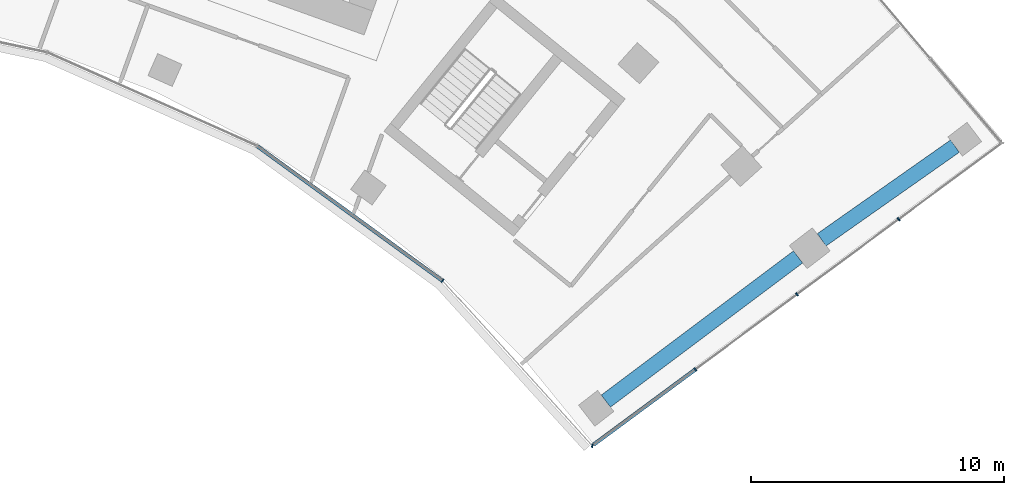
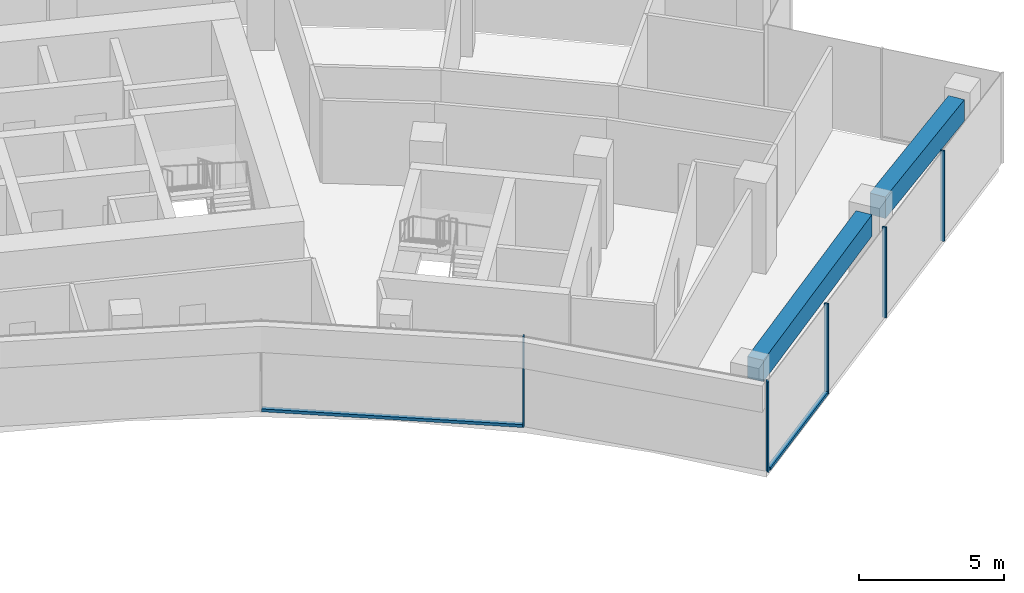
# One storey, part 7 of 18: 7 members, 2 beams, 2 elements without a shape of their own.
"""IFC4 building model written with IfcOpenShell, lengths in metres."""

from ifc_helpers import new_model, si_unit, direction, frame, origin, origin_2d, place, context, subcontext, project, spatial, rectangle, extrude, material, layer, layer_set, material_profile, profile_set, type_object, element, aggregate, save


model = new_model("IFC4")

# Units and contexts
model_context = context("Model", 3, precision=1e-05, world=origin(), true_north=direction((0.0, 1.0)))
body_context = subcontext(model_context, "Body", "Model", "MODEL_VIEW")
ifc_project = project(units=[si_unit("LENGTHUNIT", "METRE"), si_unit("AREAUNIT", "SQUARE_METRE"), si_unit("VOLUMEUNIT", "CUBIC_METRE"), si_unit("PLANEANGLEUNIT", "RADIAN"), si_unit("MASSUNIT", "GRAM", prefix="KILO")], contexts=[model_context])

# Site, building, storey
site_placement = place(None, origin())
site = spatial("IfcSite", under=ifc_project, at=site_placement, CompositionType="ELEMENT")
building_placement = place(site_placement, origin())
building = spatial("IfcBuilding", under=site, at=building_placement, Name="Stone Belt Terrace Tower", CompositionType="ELEMENT")
storey_placement = place(building_placement, frame((0.0, 0.0, 239.0)))
storey = spatial("IfcBuildingStorey", under=building, at=storey_placement, Name="L58", CompositionType="ELEMENT", Elevation=239.0)

# Curtain wall, members
ifc_material_1 = material(Name="Aluminium 6063-T6 anodised frame", Category="aluminium")
ifc_layer_1 = layer(ifc_material_1, 0.14990234375)
ifc_layer_set_1 = layer_set([ifc_layer_1], Name="CW-B unitised concave-face curtain wall")
curtain_wall_type_1 = type_object("IfcCurtainWallType", Name="CW-B unitised concave-face curtain wall", PredefinedType="NOTDEFINED", material=ifc_layer_set_1)
curtain_wall_1_placement = place(storey_placement, origin())
curtain_wall_1 = element("IfcCurtainWall", 1, at=curtain_wall_1_placement, inside=storey, type_object=curtain_wall_type_1, Name="CW-B concave face L58", PredefinedType="NOTDEFINED")
ifc_material_profile_1 = material_profile(ifc_material_1, rectangle(XDim=0.14990234375, YDim=0.050048828125, at=origin_2d()), Name="Aluminium 6063-T6 50x150")
ifc_profile_set_1 = profile_set([ifc_material_profile_1], Name="Aluminium 6063-T6 anodised frame")
member_type_1 = type_object("IfcMemberType", Name="CW-B mullion 50 x 150", PredefinedType="MULLION", material=ifc_profile_set_1)
member_1_placement = place(storey_placement, frame((29.056884765625, 32.270751953125, 0.0), z_axis=(0.0, 0.0, 1.0), x_axis=(0.667655571962, 0.744470306479, 0.0)))
member_1 = element("IfcMember", 2, at=member_1_placement, type_object=member_type_1, Name="CW-B mullion 8", PredefinedType="MULLION", context=body_context, shape_type="SweptSolid", body=[
    extrude(rectangle(XDim=0.14990234375, YDim=0.050048828125, at=origin_2d()), origin(), (0.0, 0.0, 1.0), 3.800048828125),
])
ifc_material_profile_2 = material_profile(ifc_material_1, rectangle(XDim=0.14990234375, YDim=0.1201171875, at=origin_2d()), Name="Aluminium 6063-T6 150x120")
ifc_profile_set_2 = profile_set([ifc_material_profile_2], Name="Aluminium 6063-T6 anodised frame")
member_type_2 = type_object("IfcMemberType", Name="CW-B transom 120 x 150", PredefinedType="USERDEFINED", material=ifc_profile_set_2)
member_2_placement = place(storey_placement, frame((21.73876953125, 37.587646484375, 0.06005859375), z_axis=(0.809012430507, -0.587791533867, 0.0), x_axis=(0.587791533867, 0.809012430507, 0.0)))
member_2 = element("IfcMember", 3, at=member_2_placement, type_object=member_type_2, Name="CW-B transom 7.1", ObjectType="TRANSOM", PredefinedType="USERDEFINED", context=body_context, shape_type="SweptSolid", body=[
    extrude(rectangle(XDim=0.14990234375, YDim=0.1201171875, at=origin_2d()), origin(), (0.0, 0.0, 1.0), 9.01318359375),
])
aggregate(curtain_wall_1, [member_1, member_2])

ifc_layer_2 = layer(ifc_material_1, 0.14990234375)
ifc_layer_set_2 = layer_set([ifc_layer_2], Name="CW-C stick curtain wall, horn ends and notches")
curtain_wall_type_2 = type_object("IfcCurtainWallType", Name="CW-C stick curtain wall, horn ends and notches", PredefinedType="NOTDEFINED", material=ifc_layer_set_2)
curtain_wall_2_placement = place(storey_placement, origin())
curtain_wall_2 = element("IfcCurtainWall", 4, at=curtain_wall_2_placement, inside=storey, type_object=curtain_wall_type_2, Name="CW-C end face L58", PredefinedType="NOTDEFINED")
ifc_material_profile_3 = material_profile(ifc_material_1, rectangle(XDim=0.14990234375, YDim=0.06005859375, at=origin_2d()), Name="Aluminium 6063-T6 60x150")
ifc_profile_set_3 = profile_set([ifc_material_profile_3], Name="Aluminium 6063-T6 anodised frame")
member_type_3 = type_object("IfcMemberType", Name="CW-C mullion 60 x 150", PredefinedType="MULLION", material=ifc_profile_set_3)
member_3_placement = place(storey_placement, frame((34.978271484375, 25.746337890625, 0.0), z_axis=(0.0, 0.0, 1.0), x_axis=(0.098609982845, 0.995126158476, 0.0)))
member_3 = element("IfcMember", 5, at=member_3_placement, type_object=member_type_3, Name="CW-C mullion 1", PredefinedType="MULLION", context=body_context, shape_type="SweptSolid", body=[
    extrude(rectangle(XDim=0.14990234375, YDim=0.06005859375, at=origin_2d()), origin(), (0.0, 0.0, 1.0), 3.800048828125),
])
member_4_placement = place(storey_placement, frame((39.054443359375, 28.757568359375, 0.0), z_axis=(0.0, 0.0, 1.0), x_axis=(-0.594184091865, 0.804329077539, 0.0)))
member_4 = element("IfcMember", 6, at=member_4_placement, type_object=member_type_3, Name="CW-C mullion 2", PredefinedType="MULLION", context=body_context, shape_type="SweptSolid", body=[
    extrude(rectangle(XDim=0.14990234375, YDim=0.06005859375, at=origin_2d()), origin(), (0.0, 0.0, 1.0), 3.800048828125),
])
member_5_placement = place(storey_placement, frame((43.076171875, 31.728515625, 0.0), z_axis=(0.0, 0.0, 1.0), x_axis=(-0.594184091865, 0.804329077539, 0.0)))
member_5 = element("IfcMember", 7, at=member_5_placement, type_object=member_type_3, Name="CW-C mullion 3", PredefinedType="MULLION", context=body_context, shape_type="SweptSolid", body=[
    extrude(rectangle(XDim=0.14990234375, YDim=0.06005859375, at=origin_2d()), origin(), (0.0, 0.0, 1.0), 3.800048828125),
])
member_6_placement = place(storey_placement, frame((47.097900390625, 34.699462890625, 0.0), z_axis=(0.0, 0.0, 1.0), x_axis=(-0.594184091865, 0.804329077539, 0.0)))
member_6 = element("IfcMember", 8, at=member_6_placement, type_object=member_type_3, Name="CW-C mullion 4", PredefinedType="MULLION", context=body_context, shape_type="SweptSolid", body=[
    extrude(rectangle(XDim=0.14990234375, YDim=0.06005859375, at=origin_2d()), origin(), (0.0, 0.0, 1.0), 3.800048828125),
])
ifc_material_profile_4 = material_profile(ifc_material_1, rectangle(XDim=0.14990234375, YDim=0.1201171875, at=origin_2d()), Name="Aluminium 6063-T6 150x120")
ifc_profile_set_4 = profile_set([ifc_material_profile_4], Name="Aluminium 6063-T6 anodised frame")
member_type_4 = type_object("IfcMemberType", Name="CW-C transom 120 x 150", PredefinedType="USERDEFINED", material=ifc_profile_set_4)
member_7_placement = place(storey_placement, frame((35.03662109375, 25.78955078125, 0.06005859375), z_axis=(0.804333483404, 0.594178127733, 0.0), x_axis=(-0.594178127733, 0.804333483404, 0.0)))
member_7 = element("IfcMember", 9, at=member_7_placement, type_object=member_type_4, Name="CW-C transom 1.1", ObjectType="TRANSOM", PredefinedType="USERDEFINED", context=body_context, shape_type="SweptSolid", body=[
    extrude(rectangle(XDim=0.14990234375, YDim=0.1201171875, at=origin_2d()), origin(), (0.0, 0.0, 1.0), 4.965087890625),
])
aggregate(curtain_wall_2, [member_3, member_4, member_5, member_6, member_7])

# Beams
ifc_material_2 = material(Name="Concrete B60", Category="concrete")
ifc_material_profile_5 = material_profile(ifc_material_2, rectangle(XDim=0.60009765625, YDim=0.89990234375, at=origin_2d()), Name="RC 600x900")
ifc_profile_set_5 = profile_set([ifc_material_profile_5], Name="Concrete B60")
beam_type = type_object("IfcBeamType", Name="Edge beam RC 600x900 B60", PredefinedType="SPANDREL", material=ifc_profile_set_5)
beam_1_placement = place(storey_placement, frame((35.51318359375, 27.5068359375, 3.030029296875), z_axis=(0.800073960697, 0.599901373073, 0.0), x_axis=(-0.599901373073, 0.800073960697, 0.0)))
element("IfcBeam", 10, at=beam_1_placement, inside=storey, type_object=beam_type, Name="Edge beam L58 B P to Q", PredefinedType="SPANDREL", context=body_context, shape_type="SweptSolid", body=[
    extrude(rectangle(XDim=0.60009765625, YDim=0.89990234375, at=origin_2d()), origin(), (0.0, 0.0, 1.0), 9.505859375),
])
beam_2_placement = place(storey_placement, frame((44.049560546875, 33.885498046875, 3.030029296875), z_axis=(0.817996569297, 0.575223098126, 0.0), x_axis=(-0.575223098126, 0.817996569297, 0.0)))
element("IfcBeam", 11, at=beam_2_placement, inside=storey, type_object=beam_type, Name="Edge beam L58 B Q to R", PredefinedType="SPANDREL", context=body_context, shape_type="SweptSolid", body=[
    extrude(rectangle(XDim=0.60009765625, YDim=0.89990234375, at=origin_2d()), origin(), (0.0, 0.0, 1.0), 6.444091796875),
])

save(model, "model.ifc")
